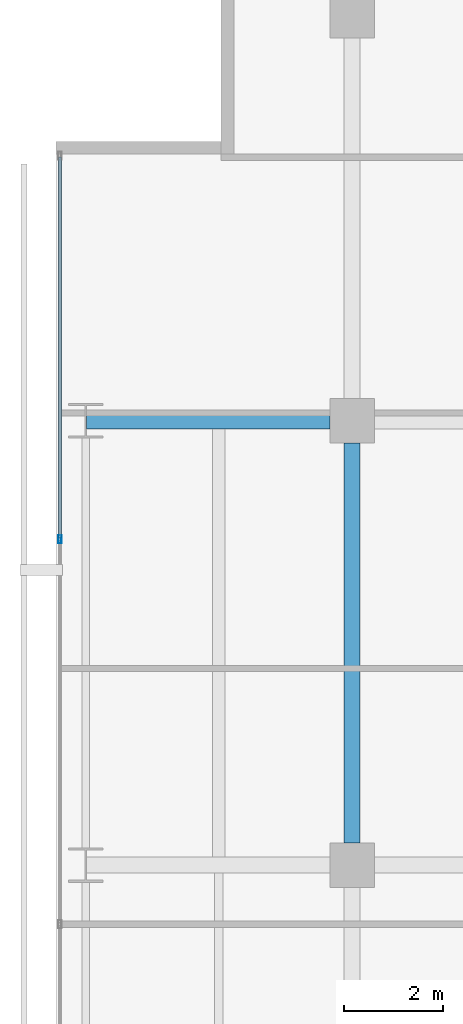
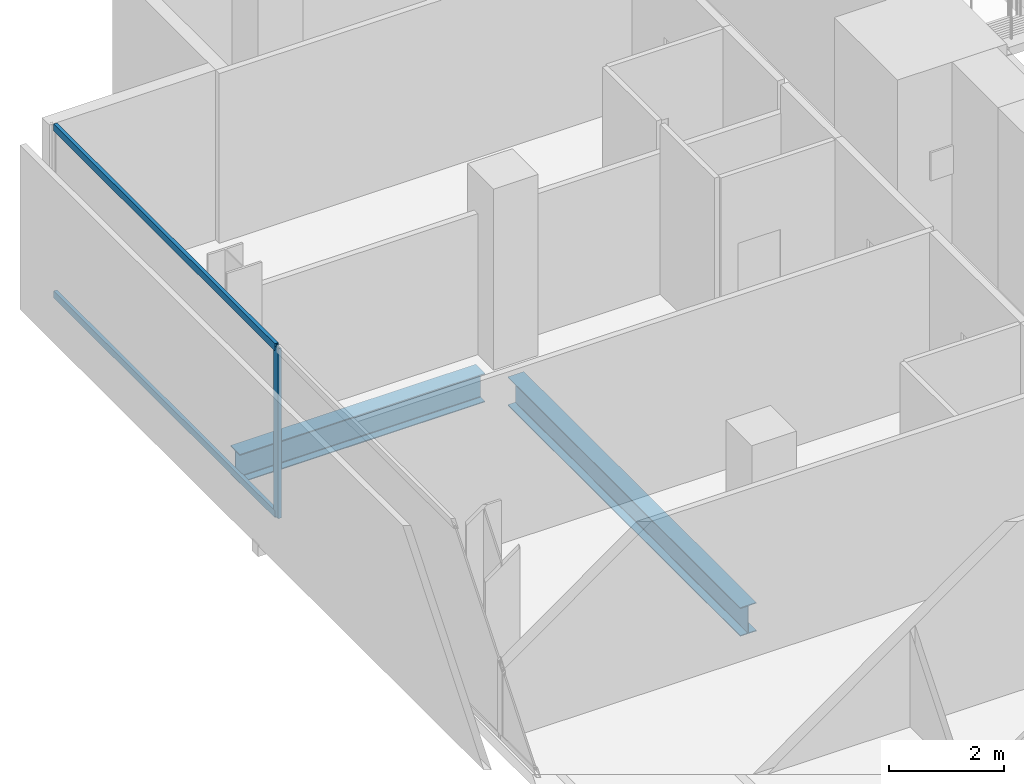
# One storey, part 23 of 40: 3 members, 2 beams, 1 element without a shape of its own.
"""IFC4 building model written with IfcOpenShell, lengths in metres."""

from ifc_helpers import new_model, si_unit, direction, frame, origin, origin_2d, place, context, subcontext, project, spatial, hollow_rectangle, i_section, extrude, material, layer, layer_set, material_profile, profile_set, type_object, element, aggregate, save


model = new_model("IFC4")

# Units and contexts
model_context = context("Model", 3, precision=1e-05, world=origin(), true_north=direction((0.0, 1.0)))
body_context = subcontext(model_context, "Body", "Model", "MODEL_VIEW")
ifc_project = project(units=[si_unit("LENGTHUNIT", "METRE"), si_unit("AREAUNIT", "SQUARE_METRE"), si_unit("VOLUMEUNIT", "CUBIC_METRE"), si_unit("PLANEANGLEUNIT", "RADIAN"), si_unit("MASSUNIT", "GRAM", prefix="KILO")], contexts=[model_context])

# Site, building, storey
site_placement = place(None, origin())
site = spatial("IfcSite", under=ifc_project, at=site_placement, CompositionType="ELEMENT")
building_placement = place(site_placement, origin())
building = spatial("IfcBuilding", under=site, at=building_placement, Name="Maruvema Waterfront Hotel and Observation Tower", CompositionType="ELEMENT")
storey_placement = place(building_placement, frame((0.0, 0.0, 80.85009765625)))
storey = spatial("IfcBuildingStorey", under=building, at=storey_placement, Name="L19", CompositionType="ELEMENT", Elevation=80.85009765625)

# Curtain wall, members
ifc_material_1 = material(Name="Anodised bronze aluminium and solar-control low-E IGU", Category="aluminium")
ifc_layer = layer(ifc_material_1, 0.159912109375, Name="Zone 1 Bronze Inner Thermal Curtain Wall System CW-02")
ifc_layer_set = layer_set([ifc_layer], Name="Anodised bronze aluminium and solar-control low-E IGU")
curtain_wall_type = type_object("IfcCurtainWallType", Name="Zone 1 Bronze Inner Thermal Curtain Wall System CW-02", PredefinedType="USERDEFINED", material=ifc_layer_set)
curtain_wall_placement = place(storey_placement, origin())
curtain_wall = element("IfcCurtainWall", 1, at=curtain_wall_placement, inside=storey, type_object=curtain_wall_type, Name="L19 Curtain Wall CW-L19-W", ObjectType="UNITISED CURTAIN WALL", PredefinedType="USERDEFINED")
ifc_material_2 = material(Name="Anodised architectural bronze aluminium", Category="aluminium")
ifc_material_profile_1 = material_profile(ifc_material_2, hollow_rectangle(XDim=0.070068359375, YDim=0.14990234375, WallThickness=0.00390625, at=origin_2d()), Name="ALU-T70x150")
ifc_profile_set_1 = profile_set([ifc_material_profile_1], Name="Anodised architectural bronze aluminium")
member_type_1 = type_object("IfcMemberType", Name="Curtain Wall Horizontal Transom ALU-T70x150", PredefinedType="USERDEFINED", material=ifc_profile_set_1)
member_1_placement = place(storey_placement, frame((10.8798828125, 50.340087890625, 0.02978515625), z_axis=(0.0, -1.0, 0.0), x_axis=(1.0, 0.0, 0.0)))
member_1 = element("IfcMember", 2, at=member_1_placement, type_object=member_type_1, Name="CW-02 transom 1.1", ObjectType="TRANSOM", PredefinedType="USERDEFINED", context=body_context, shape_type="SweptSolid", body=[
    extrude(hollow_rectangle(XDim=0.070068359375, YDim=0.14990234375, WallThickness=0.00390625, at=origin_2d()), origin(), (0.0, 0.0, 1.0), 7.710205078125),
])
member_2_placement = place(storey_placement, frame((10.8798828125, 50.340087890625, 3.579833984375), z_axis=(0.0, -1.0, 0.0), x_axis=(1.0, 0.0, 0.0)))
member_2 = element("IfcMember", 3, at=member_2_placement, type_object=member_type_1, Name="CW-02 transom 1.2", ObjectType="TRANSOM", PredefinedType="USERDEFINED", context=body_context, shape_type="SweptSolid", body=[
    extrude(hollow_rectangle(XDim=0.070068359375, YDim=0.14990234375, WallThickness=0.00390625, at=origin_2d()), origin(), (0.0, 0.0, 1.0), 7.710205078125),
])
ifc_material_3 = material(Name="Anodised architectural bronze aluminium", Category="aluminium")
ifc_material_profile_2 = material_profile(ifc_material_3, hollow_rectangle(XDim=0.06494140625, YDim=0.1650390625, WallThickness=0.00390625, at=origin_2d()), Name="ALU-M65x165")
ifc_profile_set_2 = profile_set([ifc_material_profile_2], Name="Anodised architectural bronze aluminium")
member_type_2 = type_object("IfcMemberType", Name="Curtain Wall Primary Mullion ALU-M65x165", PredefinedType="MULLION", material=ifc_profile_set_2)
member_3_placement = place(storey_placement, frame((10.8798828125, 42.60009765625, 0.0), z_axis=(0.0, 0.0, 1.0), x_axis=(1.0, 0.0, 0.0)))
member_3 = element("IfcMember", 4, at=member_3_placement, type_object=member_type_2, Name="CW-02 mullion 2", PredefinedType="MULLION", context=body_context, shape_type="SweptSolid", body=[
    extrude(hollow_rectangle(XDim=0.06494140625, YDim=0.1650390625, WallThickness=0.00390625, at=origin_2d()), origin(), (0.0, 0.0, 1.0), 3.60986328125),
])
aggregate(curtain_wall, [member_3, member_1, member_2])

# Beams
ifc_material_4 = material(Name="Steel ASTM A572 Grade 50", Category="steel")
ifc_material_profile_3 = material_profile(ifc_material_4, i_section(OverallWidth=0.323974609375, OverallDepth=0.611083984375, WebThickness=0.0126953125, FlangeThickness=0.01904296875, FilletRadius=0.01806640625, at=origin_2d()), Name="W610x155.0")
ifc_profile_set_3 = profile_set([ifc_material_profile_3], Name="Steel ASTM A572 Grade 50")
beam_type = type_object("IfcBeamType", Name="Primary Floor Girder W610x155.0", PredefinedType="BEAM", material=ifc_profile_set_3)
beam_1_placement = place(storey_placement, frame((11.4140625, 45.0, -0.545654296875), z_axis=(1.0, 0.0, 0.0), x_axis=(0.0, 1.0, 0.0)))
element("IfcBeam", 5, at=beam_1_placement, inside=storey, type_object=beam_type, Name="L19 Floor Girder EW-32", PredefinedType="BEAM", context=body_context, shape_type="SweptSolid", body=[
    extrude(i_section(OverallWidth=0.323974609375, OverallDepth=0.611083984375, WebThickness=0.0126953125, FlangeThickness=0.01904296875, FilletRadius=0.01806640625, at=origin_2d()), origin(), (0.0, 0.0, 1.0), 4.93603515625),
])
beam_2_placement = place(storey_placement, frame((16.800048828125, 36.449951171875, -0.545654296875), z_axis=(0.0, 1.0, 0.0), x_axis=(-1.0, 0.0, 0.0)))
element("IfcBeam", 6, at=beam_2_placement, inside=storey, type_object=beam_type, Name="L19 Floor Girder NS-09", PredefinedType="BEAM", context=body_context, shape_type="SweptSolid", body=[
    extrude(i_section(OverallWidth=0.323974609375, OverallDepth=0.611083984375, WebThickness=0.0126953125, FlangeThickness=0.01904296875, FilletRadius=0.01806640625, at=origin_2d()), origin(), (0.0, 0.0, 1.0), 8.10009765625),
])

save(model, "model.ifc")
